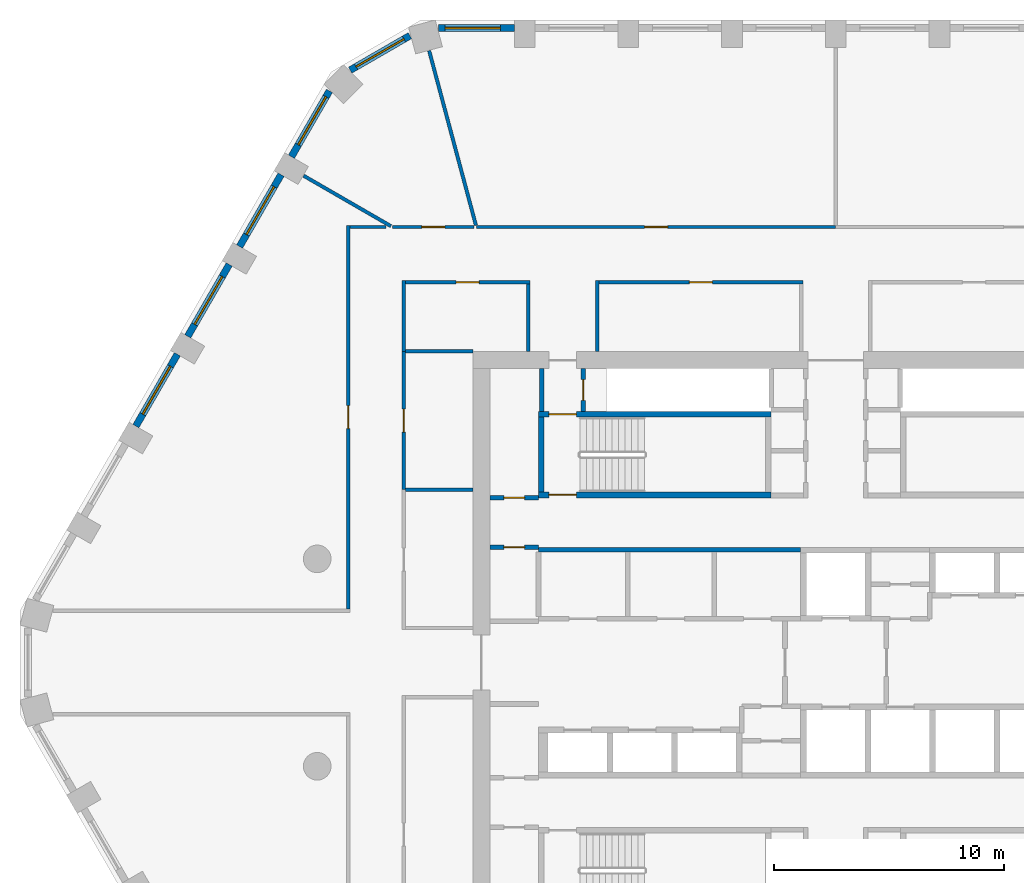
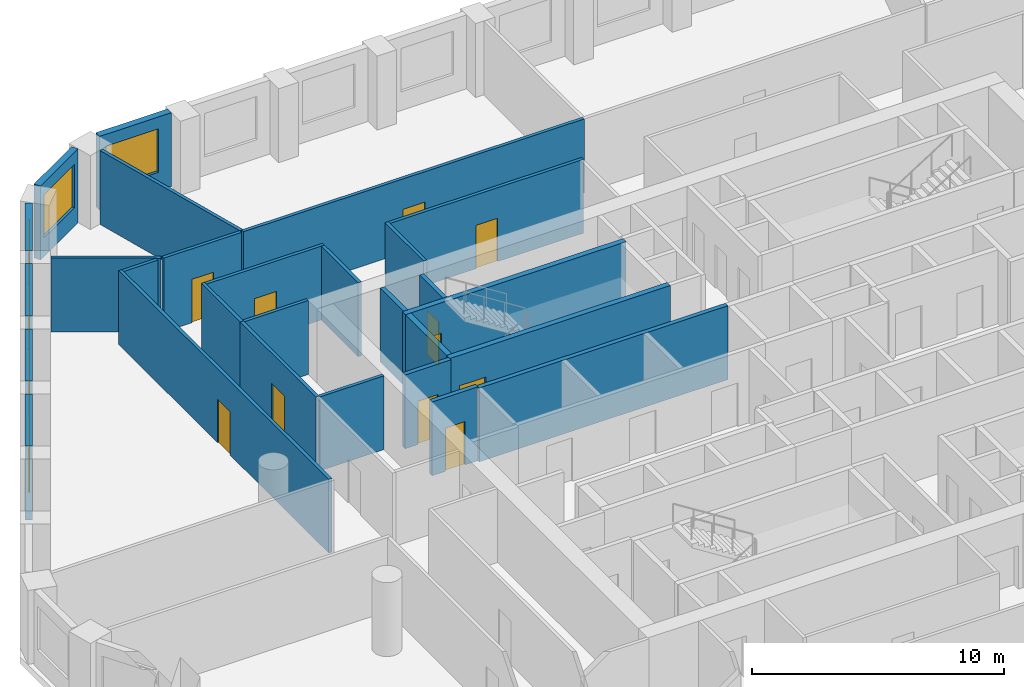
# One storey, part 6 of 10: 28 walls, 11 doors, 6 windows, 17 openings.
"""IFC4 building model written with IfcOpenShell, lengths in metres."""

from ifc_helpers import new_model, si_unit, direction, frame, frame_2d, origin, place, context, subcontext, project, spatial, rectangle, extrude, material, layer, layer_set, type_object, element, fill, save


model = new_model("IFC4")

# Units and contexts
model_context = context("Model", 3, precision=1e-05, world=origin(), true_north=direction((0.0, 1.0)))
body_context = subcontext(model_context, "Body", "Model", "MODEL_VIEW")
ifc_project = project(units=[si_unit("LENGTHUNIT", "METRE"), si_unit("AREAUNIT", "SQUARE_METRE"), si_unit("VOLUMEUNIT", "CUBIC_METRE"), si_unit("PLANEANGLEUNIT", "RADIAN"), si_unit("MASSUNIT", "GRAM", prefix="KILO")], contexts=[model_context])

# Site, building, storey
site_placement = place(None, origin())
site = spatial("IfcSite", under=ifc_project, at=site_placement, CompositionType="ELEMENT")
building_placement = place(site_placement, origin())
building = spatial("IfcBuilding", under=site, at=building_placement, Name="Dhurran Vertical Campus", CompositionType="ELEMENT")
storey_placement = place(building_placement, frame((0.0, 0.0, 144.300048828125)))
storey = spatial("IfcBuildingStorey", under=building, at=storey_placement, Name="L35", CompositionType="ELEMENT", Elevation=144.300048828125)

# Wall, opening, window
ifc_material_1 = material(Name="Precast concrete C50/60", Category="concrete")
ifc_layer_1 = layer(ifc_material_1, 0.300048828125)
ifc_layer_set_1 = layer_set([ifc_layer_1], Name="Precast concrete C50/60")
wall_type_1 = type_object("IfcWallType", Name="Precast spandrel wall 300", PredefinedType="SOLIDWALL", material=ifc_layer_set_1)
wall_1_placement = place(storey_placement, frame((-13.950439453125, 27.53271484375, 0.0), z_axis=(0.0, 0.0, 1.0), x_axis=(-1.0, 0.0, 0.0)))
wall_1 = element("IfcWall", 1, at=wall_1_placement, inside=storey, type_object=wall_type_1, Name="EW1 L35.30", PredefinedType="SOLIDWALL", context=body_context, shape_type="SweptSolid", body=[
    extrude(rectangle(XDim=3.294189453125, YDim=0.300048828125, at=frame_2d((1.64697265625, 0.0))), origin(), (0.0, 0.0, 1.0), 3.574951171875),
])
opening_1_placement = place(wall_1_placement, frame((0.599609375, 0.0, 0.89990234375)))
opening_1 = element("IfcOpeningElement", 2, at=opening_1_placement, cuts=wall_1, Name="Opening WT1", PredefinedType="OPENING", context=body_context, shape_type="SweptSolid", body=[
    extrude(rectangle(XDim=2.39990234375, YDim=2.10009765625, at=frame_2d((1.199951171875, 1.050048828125))), frame((0.0, 0.159912109375, 0.0), z_axis=(0.0, -1.0, 0.0), x_axis=(1.0, 0.0, 0.0)), (0.0, 0.0, 1.0), 0.320068359375),
])
ifc_material_2 = material(Name="Aluminium frame with solar-control glass", Category="aluminium")
window_type = type_object("IfcWindowType", Name="Punched window 2400 x 2100", PartitioningType="SINGLE_PANEL", PredefinedType="WINDOW", material=ifc_material_2)
window_1_placement = place(opening_1_placement, origin())
window_1 = element("IfcWindow", 3, at=window_1_placement, inside=storey, type_object=window_type, Name="WT1 L35.30", OverallHeight=2.10009765625, OverallWidth=2.39990234375, PartitioningType="SINGLE_PANEL", PredefinedType="WINDOW", context=body_context, shape_type="SweptSolid", body=[
    extrude(rectangle(XDim=2.39990234375, YDim=2.10009765625, at=frame_2d((1.199951171875, 1.050048828125))), frame((0.0, 0.030029296875, 0.0), z_axis=(0.0, -1.0, 0.0), x_axis=(1.0, 0.0, 0.0)), (0.0, 0.0, 1.0), 0.06005859375),
])
fill(opening_1, window_1)

wall_2_placement = place(storey_placement, frame((-18.479248046875, 27.201904296875, 0.0), z_axis=(0.0, 0.0, 1.0), x_axis=(-0.866012844897, -0.500021752, 0.0)))
wall_2 = element("IfcWall", 4, at=wall_2_placement, inside=storey, type_object=wall_type_1, Name="EW1 L35.31", PredefinedType="SOLIDWALL", context=body_context, shape_type="SweptSolid", body=[
    extrude(rectangle(XDim=2.989013671875, YDim=0.300048828125, at=frame_2d((1.49462890625, 0.0))), origin(), (0.0, 0.0, 1.0), 3.574951171875),
])
opening_2_placement = place(wall_2_placement, frame((0.294677734375, 0.0, 0.89990234375)))
opening_2 = element("IfcOpeningElement", 5, at=opening_2_placement, cuts=wall_2, Name="Opening WT1", PredefinedType="OPENING", context=body_context, shape_type="SweptSolid", body=[
    extrude(rectangle(XDim=2.39990234375, YDim=2.10009765625, at=frame_2d((1.199951171875, 1.050048828125))), frame((0.0, 0.159912109375, 0.0), z_axis=(0.0, -1.0, 0.0), x_axis=(1.0, 0.0, 0.0)), (0.0, 0.0, 1.0), 0.320068359375),
])
window_2_placement = place(opening_2_placement, origin())
window_2 = element("IfcWindow", 6, at=window_2_placement, inside=storey, type_object=window_type, Name="WT1 L35.31", OverallHeight=2.10009765625, OverallWidth=2.39990234375, PartitioningType="SINGLE_PANEL", PredefinedType="WINDOW", context=body_context, shape_type="SweptSolid", body=[
    extrude(rectangle(XDim=2.39990234375, YDim=2.10009765625, at=frame_2d((1.199951171875, 1.050048828125))), frame((0.0, 0.030029296875, 0.0), z_axis=(0.0, -1.0, 0.0), x_axis=(1.0, 0.0, 0.0)), (0.0, 0.0, 1.0), 0.06005859375),
])
fill(opening_2, window_2)

wall_3_placement = place(storey_placement, frame((-21.9716796875, 24.803466796875, 0.0), z_axis=(0.0, 0.0, 1.0), x_axis=(-0.500036802197, -0.866004154983, 0.0)))
wall_3 = element("IfcWall", 7, at=wall_3_placement, inside=storey, type_object=wall_type_1, Name="EW1 L35.32", PredefinedType="SOLIDWALL", context=body_context, shape_type="SweptSolid", body=[
    extrude(rectangle(XDim=3.294189453125, YDim=0.300048828125, at=frame_2d((1.64697265625, 0.0))), origin(), (0.0, 0.0, 1.0), 3.574951171875),
])
opening_3_placement = place(wall_3_placement, frame((0.29443359375, 0.0, 0.89990234375)))
opening_3 = element("IfcOpeningElement", 8, at=opening_3_placement, cuts=wall_3, Name="Opening WT1", PredefinedType="OPENING", context=body_context, shape_type="SweptSolid", body=[
    extrude(rectangle(XDim=2.39990234375, YDim=2.10009765625, at=frame_2d((1.199951171875, 1.050048828125))), frame((0.0, 0.159912109375, 0.0), z_axis=(0.0, -1.0, 0.0), x_axis=(1.0, 0.0, 0.0)), (0.0, 0.0, 1.0), 0.320068359375),
])
window_3_placement = place(opening_3_placement, origin())
window_3 = element("IfcWindow", 9, at=window_3_placement, inside=storey, type_object=window_type, Name="WT1 L35.32", OverallHeight=2.10009765625, OverallWidth=2.39990234375, PartitioningType="SINGLE_PANEL", PredefinedType="WINDOW", context=body_context, shape_type="SweptSolid", body=[
    extrude(rectangle(XDim=2.39990234375, YDim=2.10009765625, at=frame_2d((1.199951171875, 1.050048828125))), frame((0.0, 0.030029296875, 0.0), z_axis=(0.0, -1.0, 0.0), x_axis=(1.0, 0.0, 0.0)), (0.0, 0.0, 1.0), 0.06005859375),
])
fill(opening_3, window_3)

wall_4_placement = place(storey_placement, frame((-24.0693359375, 21.17041015625, 0.0), z_axis=(0.0, 0.0, 1.0), x_axis=(-0.500027802648, -0.866009351323, 0.0)))
wall_4 = element("IfcWall", 10, at=wall_4_placement, inside=storey, type_object=wall_type_1, Name="EW1 L35.33", PredefinedType="SOLIDWALL", context=body_context, shape_type="SweptSolid", body=[
    extrude(rectangle(XDim=3.598876953125, YDim=0.300048828125, at=frame_2d((1.79931640625, 0.0))), origin(), (0.0, 0.0, 1.0), 3.574951171875),
])
opening_4_placement = place(wall_4_placement, frame((0.599609375, 0.0, 0.89990234375)))
opening_4 = element("IfcOpeningElement", 11, at=opening_4_placement, cuts=wall_4, Name="Opening WT1", PredefinedType="OPENING", context=body_context, shape_type="SweptSolid", body=[
    extrude(rectangle(XDim=2.39990234375, YDim=2.10009765625, at=frame_2d((1.199951171875, 1.050048828125))), frame((0.0, 0.159912109375, 0.0), z_axis=(0.0, -1.0, 0.0), x_axis=(1.0, 0.0, 0.0)), (0.0, 0.0, 1.0), 0.320068359375),
])
window_4_placement = place(opening_4_placement, origin())
window_4 = element("IfcWindow", 12, at=window_4_placement, inside=storey, type_object=window_type, Name="WT1 L35.33", OverallHeight=2.10009765625, OverallWidth=2.39990234375, PartitioningType="SINGLE_PANEL", PredefinedType="WINDOW", context=body_context, shape_type="SweptSolid", body=[
    extrude(rectangle(XDim=2.39990234375, YDim=2.10009765625, at=frame_2d((1.199951171875, 1.050048828125))), frame((0.0, 0.030029296875, 0.0), z_axis=(0.0, -1.0, 0.0), x_axis=(1.0, 0.0, 0.0)), (0.0, 0.0, 1.0), 0.06005859375),
])
fill(opening_4, window_4)

wall_5_placement = place(storey_placement, frame((-26.3193359375, 17.273193359375, 0.0), z_axis=(0.0, 0.0, 1.0), x_axis=(-0.500027802648, -0.866009351323, 0.0)))
wall_5 = element("IfcWall", 13, at=wall_5_placement, inside=storey, type_object=wall_type_1, Name="EW1 L35.34", PredefinedType="SOLIDWALL", context=body_context, shape_type="SweptSolid", body=[
    extrude(rectangle(XDim=3.598876953125, YDim=0.300048828125, at=frame_2d((1.79931640625, 0.0))), origin(), (0.0, 0.0, 1.0), 3.574951171875),
])
opening_5_placement = place(wall_5_placement, frame((0.599609375, 0.0, 0.89990234375)))
opening_5 = element("IfcOpeningElement", 14, at=opening_5_placement, cuts=wall_5, Name="Opening WT1", PredefinedType="OPENING", context=body_context, shape_type="SweptSolid", body=[
    extrude(rectangle(XDim=2.39990234375, YDim=2.10009765625, at=frame_2d((1.199951171875, 1.050048828125))), frame((0.0, 0.159912109375, 0.0), z_axis=(0.0, -1.0, 0.0), x_axis=(1.0, 0.0, 0.0)), (0.0, 0.0, 1.0), 0.320068359375),
])
window_5_placement = place(opening_5_placement, origin())
window_5 = element("IfcWindow", 15, at=window_5_placement, inside=storey, type_object=window_type, Name="WT1 L35.34", OverallHeight=2.10009765625, OverallWidth=2.39990234375, PartitioningType="SINGLE_PANEL", PredefinedType="WINDOW", context=body_context, shape_type="SweptSolid", body=[
    extrude(rectangle(XDim=2.39990234375, YDim=2.10009765625, at=frame_2d((1.199951171875, 1.050048828125))), frame((0.0, 0.030029296875, 0.0), z_axis=(0.0, -1.0, 0.0), x_axis=(1.0, 0.0, 0.0)), (0.0, 0.0, 1.0), 0.06005859375),
])
fill(opening_5, window_5)

wall_6_placement = place(storey_placement, frame((-28.5693359375, 13.376220703125, 0.0), z_axis=(0.0, 0.0, 1.0), x_axis=(-0.500027802648, -0.866009351323, 0.0)))
wall_6 = element("IfcWall", 16, at=wall_6_placement, inside=storey, type_object=wall_type_1, Name="EW1 L35.35", PredefinedType="SOLIDWALL", context=body_context, shape_type="SweptSolid", body=[
    extrude(rectangle(XDim=3.598876953125, YDim=0.300048828125, at=frame_2d((1.79931640625, 0.0))), origin(), (0.0, 0.0, 1.0), 3.574951171875),
])
opening_6_placement = place(wall_6_placement, frame((0.599609375, 0.0, 0.89990234375)))
opening_6 = element("IfcOpeningElement", 17, at=opening_6_placement, cuts=wall_6, Name="Opening WT1", PredefinedType="OPENING", context=body_context, shape_type="SweptSolid", body=[
    extrude(rectangle(XDim=2.39990234375, YDim=2.10009765625, at=frame_2d((1.199951171875, 1.050048828125))), frame((0.0, 0.159912109375, 0.0), z_axis=(0.0, -1.0, 0.0), x_axis=(1.0, 0.0, 0.0)), (0.0, 0.0, 1.0), 0.320068359375),
])
window_6_placement = place(opening_6_placement, origin())
window_6 = element("IfcWindow", 18, at=window_6_placement, inside=storey, type_object=window_type, Name="WT1 L35.35", OverallHeight=2.10009765625, OverallWidth=2.39990234375, PartitioningType="SINGLE_PANEL", PredefinedType="WINDOW", context=body_context, shape_type="SweptSolid", body=[
    extrude(rectangle(XDim=2.39990234375, YDim=2.10009765625, at=frame_2d((1.199951171875, 1.050048828125))), frame((0.0, 0.030029296875, 0.0), z_axis=(0.0, -1.0, 0.0), x_axis=(1.0, 0.0, 0.0)), (0.0, 0.0, 1.0), 0.06005859375),
])
fill(opening_6, window_6)

# Wall
ifc_material_3 = material(Name="Fire-rated masonry blockwork", Category="masonry")
ifc_layer_2 = layer(ifc_material_3, 0.199951171875)
ifc_layer_set_2 = layer_set([ifc_layer_2], Name="Fire-rated masonry blockwork")
wall_type_2 = type_object("IfcWallType", Name="co-FIRE-PARTITION-200", PredefinedType="PARTITIONING", material=ifc_layer_set_2)
wall_7_placement = place(storey_placement, frame((-12.75, 10.89990234375, 0.0), z_axis=(0.0, 0.0, 1.0), x_axis=(0.0, 1.0, 0.0)))
element("IfcWall", 19, at=wall_7_placement, inside=storey, type_object=wall_type_2, Name="Core partition pass-ST1-o L35", PredefinedType="PARTITIONING", context=body_context, shape_type="SweptSolid", body=[
    extrude(rectangle(XDim=1.85009765625, YDim=0.199951171875, at=frame_2d((0.925048828125, 0.0))), origin(), (0.0, 0.0, 1.0), 3.574951171875),
])

# Wall, opening, door
wall_8_placement = place(storey_placement, frame((-10.949951171875, 10.89990234375, 0.0), z_axis=(0.0, 0.0, 1.0), x_axis=(0.0, 1.0, 0.0)))
wall_8 = element("IfcWall", 20, at=wall_8_placement, inside=storey, type_object=wall_type_2, Name="Core partition pass-ST1-i L35", PredefinedType="PARTITIONING", context=body_context, shape_type="SweptSolid", body=[
    extrude(rectangle(XDim=1.85009765625, YDim=0.199951171875, at=frame_2d((0.925048828125, 0.0))), origin(), (0.0, 0.0, 1.0), 3.574951171875),
])
opening_7_placement = place(wall_8_placement, frame((0.47509765625, 0.0, 0.0)))
opening_7 = element("IfcOpeningElement", 21, at=opening_7_placement, cuts=wall_8, Name="Opening T10-C11", PredefinedType="OPENING", context=body_context, shape_type="SweptSolid", body=[
    extrude(rectangle(XDim=0.89990234375, YDim=2.10009765625, at=frame_2d((0.449951171875, 1.050048828125))), frame((0.0, 0.10986328125, 0.0), z_axis=(0.0, -1.0, 0.0), x_axis=(1.0, 0.0, 0.0)), (0.0, 0.0, 1.0), 0.219970703125),
])
ifc_material_4 = material(Name="Fire-rated timber door set", Category="wood")
door_type_1 = type_object("IfcDoorType", Name="co-D-ROOM 900x2100", OperationType="SINGLE_SWING_LEFT", PredefinedType="DOOR", material=ifc_material_4)
door_1_placement = place(opening_7_placement, origin())
door_1 = element("IfcDoor", 22, at=door_1_placement, inside=storey, type_object=door_type_1, Name="Riser room door L35", OperationType="SINGLE_SWING_LEFT", OverallHeight=2.10009765625, OverallWidth=0.89990234375, PredefinedType="DOOR", context=body_context, shape_type="SweptSolid", body=[
    extrude(rectangle(XDim=0.89990234375, YDim=2.10009765625, at=frame_2d((0.449951171875, 1.050048828125))), frame((0.0, 0.02490234375, 0.0), z_axis=(0.0, -1.0, 0.0), x_axis=(1.0, 0.0, 0.0)), (0.0, 0.0, 1.0), 0.050048828125),
])
fill(opening_7, door_1)

wall_9_placement = place(storey_placement, frame((-15.0, 7.14990234375, 0.0), z_axis=(0.0, 0.0, 1.0), x_axis=(1.0, 0.0, 0.0)))
wall_9 = element("IfcWall", 23, at=wall_9_placement, inside=storey, type_object=wall_type_2, Name="Core partition en-NW-w L35", PredefinedType="PARTITIONING", context=body_context, shape_type="SweptSolid", body=[
    extrude(rectangle(XDim=2.10009765625, YDim=0.199951171875, at=frame_2d((1.050048828125, 0.0))), origin(), (0.0, 0.0, 1.0), 3.574951171875),
])
opening_8_placement = place(wall_9_placement, frame((0.60009765625, 0.0, 0.0)))
opening_8 = element("IfcOpeningElement", 24, at=opening_8_placement, cuts=wall_9, Name="Opening T10-C15", PredefinedType="OPENING", context=body_context, shape_type="SweptSolid", body=[
    extrude(rectangle(XDim=0.89990234375, YDim=2.10009765625, at=frame_2d((0.449951171875, 1.050048828125))), frame((0.0, 0.10986328125, 0.0), z_axis=(0.0, -1.0, 0.0), x_axis=(1.0, 0.0, 0.0)), (0.0, 0.0, 1.0), 0.219970703125),
])
door_2_placement = place(opening_8_placement, origin())
door_2 = element("IfcDoor", 25, at=door_2_placement, inside=storey, type_object=door_type_1, Name="Cleaner's store door L35", OperationType="SINGLE_SWING_LEFT", OverallHeight=2.10009765625, OverallWidth=0.89990234375, PredefinedType="DOOR", context=body_context, shape_type="SweptSolid", body=[
    extrude(rectangle(XDim=0.89990234375, YDim=2.10009765625, at=frame_2d((0.449951171875, 1.050048828125))), frame((0.0, 0.02490234375, 0.0), z_axis=(0.0, -1.0, 0.0), x_axis=(1.0, 0.0, 0.0)), (0.0, 0.0, 1.0), 0.050048828125),
])
fill(opening_8, door_2)

wall_10_placement = place(storey_placement, frame((-15.0, 5.0, 0.0), z_axis=(0.0, 0.0, 1.0), x_axis=(1.0, 0.0, 0.0)))
wall_10 = element("IfcWall", 26, at=wall_10_placement, inside=storey, type_object=wall_type_2, Name="Core partition es-NW-w L35", PredefinedType="PARTITIONING", context=body_context, shape_type="SweptSolid", body=[
    extrude(rectangle(XDim=2.10009765625, YDim=0.199951171875, at=frame_2d((1.050048828125, 0.0))), origin(), (0.0, 0.0, 1.0), 3.574951171875),
])
opening_9_placement = place(wall_10_placement, frame((0.60009765625, 0.0, 0.0)))
opening_9 = element("IfcOpeningElement", 27, at=opening_9_placement, cuts=wall_10, Name="Opening T10-C16", PredefinedType="OPENING", context=body_context, shape_type="SweptSolid", body=[
    extrude(rectangle(XDim=0.89990234375, YDim=2.10009765625, at=frame_2d((0.449951171875, 1.050048828125))), frame((0.0, 0.10986328125, 0.0), z_axis=(0.0, -1.0, 0.0), x_axis=(1.0, 0.0, 0.0)), (0.0, 0.0, 1.0), 0.219970703125),
])
door_3_placement = place(opening_9_placement, origin())
door_3 = element("IfcDoor", 28, at=door_3_placement, inside=storey, type_object=door_type_1, Name="Communications room door L35", OperationType="SINGLE_SWING_LEFT", OverallHeight=2.10009765625, OverallWidth=0.89990234375, PredefinedType="DOOR", context=body_context, shape_type="SweptSolid", body=[
    extrude(rectangle(XDim=0.89990234375, YDim=2.10009765625, at=frame_2d((0.449951171875, 1.050048828125))), frame((0.0, 0.02490234375, 0.0), z_axis=(0.0, -1.0, 0.0), x_axis=(1.0, 0.0, 0.0)), (0.0, 0.0, 1.0), 0.050048828125),
])
fill(opening_9, door_3)

# Wall
wall_11_placement = place(storey_placement, frame((-12.89990234375, 4.89990234375, 0.0), z_axis=(0.0, 0.0, 1.0), x_axis=(1.0, 0.0, 0.0)))
element("IfcWall", 29, at=wall_11_placement, inside=storey, type_object=wall_type_2, Name="Core partition fr-N0-b L35", PredefinedType="PARTITIONING", context=body_context, shape_type="SweptSolid", body=[
    extrude(rectangle(XDim=11.375, YDim=0.199951171875, at=frame_2d((5.6875, 0.0))), origin(), (0.0, 0.0, 1.0), 3.574951171875),
])

# Wall, opening, door
ifc_material_5 = material(Name="Concrete C40/50", Category="concrete")
ifc_layer_3 = layer(ifc_material_5, 0.25)
ifc_layer_set_3 = layer_set([ifc_layer_3], Name="Concrete C40/50")
wall_type_3 = type_object("IfcWallType", Name="co-STAIR-WALL-250", PredefinedType="SHEAR", material=ifc_layer_set_3)
wall_12_placement = place(storey_placement, frame((-12.89990234375, 7.27490234375, 0.0), z_axis=(0.0, 0.0, 1.0), x_axis=(1.0, 0.0, 0.0)))
wall_12 = element("IfcWall", 30, at=wall_12_placement, inside=storey, type_object=wall_type_3, Name="Stair ST1 enclosure wall L35", PredefinedType="SHEAR", context=body_context, shape_type="SweptSolid", body=[
    extrude(rectangle(XDim=10.099853515625, YDim=0.25, at=frame_2d((5.0498046875, 0.0))), origin(), (0.0, 0.0, 1.0), 3.574951171875),
])
opening_10_placement = place(wall_12_placement, frame((0.449951171875, 0.0, 0.0)))
opening_10 = element("IfcOpeningElement", 31, at=opening_10_placement, cuts=wall_12, Name="Opening SD1", PredefinedType="OPENING", context=body_context, shape_type="SweptSolid", body=[
    extrude(rectangle(XDim=1.199951171875, YDim=2.10009765625, at=frame_2d((0.60009765625, 1.050048828125))), frame((0.0, 0.135009765625, 0.0), z_axis=(0.0, -1.0, 0.0), x_axis=(1.0, 0.0, 0.0)), (0.0, 0.0, 1.0), 0.27001953125),
])
ifc_material_6 = material(Name="Fire-rated steel door set", Category="steel")
door_type_2 = type_object("IfcDoorType", Name="co-D-STAIR 1200x2100", OperationType="SINGLE_SWING_LEFT", PredefinedType="DOOR", material=ifc_material_6)
door_4_placement = place(opening_10_placement, origin())
door_4 = element("IfcDoor", 32, at=door_4_placement, inside=storey, type_object=door_type_2, Name="Stair ST1 door L35", OperationType="SINGLE_SWING_LEFT", OverallHeight=2.10009765625, OverallWidth=1.199951171875, PredefinedType="DOOR", context=body_context, shape_type="SweptSolid", body=[
    extrude(rectangle(XDim=1.199951171875, YDim=2.10009765625, at=frame_2d((0.60009765625, 1.050048828125))), frame((0.0, 0.02490234375, 0.0), z_axis=(0.0, -1.0, 0.0), x_axis=(1.0, 0.0, 0.0)), (0.0, 0.0, 1.0), 0.050048828125),
])
fill(opening_10, door_4)

wall_13_placement = place(storey_placement, frame((-12.89990234375, 10.77490234375, 0.0), z_axis=(0.0, 0.0, 1.0), x_axis=(1.0, 0.0, 0.0)))
wall_13 = element("IfcWall", 33, at=wall_13_placement, inside=storey, type_object=wall_type_3, Name="Stair ST1 enclosure wall L35", PredefinedType="SHEAR", context=body_context, shape_type="SweptSolid", body=[
    extrude(rectangle(XDim=10.099853515625, YDim=0.25, at=frame_2d((5.0498046875, 0.0))), origin(), (0.0, 0.0, 1.0), 3.574951171875),
])
opening_11_placement = place(wall_13_placement, frame((0.449951171875, 0.0, 0.0)))
opening_11 = element("IfcOpeningElement", 34, at=opening_11_placement, cuts=wall_13, Name="Opening XS1", PredefinedType="OPENING", context=body_context, shape_type="SweptSolid", body=[
    extrude(rectangle(XDim=1.199951171875, YDim=2.10009765625, at=frame_2d((0.60009765625, 1.050048828125))), frame((0.0, 0.135009765625, 0.0), z_axis=(0.0, -1.0, 0.0), x_axis=(1.0, 0.0, 0.0)), (0.0, 0.0, 1.0), 0.27001953125),
])
ifc_material_7 = material(Name="Fire-rated steel door set", Category="steel")
door_type_3 = type_object("IfcDoorType", Name="co-D-STAIR-EXIT 1200x2100", OperationType="SINGLE_SWING_RIGHT", PredefinedType="DOOR", material=ifc_material_7)
door_5_placement = place(opening_11_placement, origin())
door_5 = element("IfcDoor", 35, at=door_5_placement, inside=storey, type_object=door_type_3, Name="Stair ST1 discharge door L35", OperationType="SINGLE_SWING_RIGHT", OverallHeight=2.10009765625, OverallWidth=1.199951171875, PredefinedType="DOOR", context=body_context, shape_type="SweptSolid", body=[
    extrude(rectangle(XDim=1.199951171875, YDim=2.10009765625, at=frame_2d((0.60009765625, 1.050048828125))), frame((0.0, 0.02490234375, 0.0), z_axis=(0.0, -1.0, 0.0), x_axis=(1.0, 0.0, 0.0)), (0.0, 0.0, 1.0), 0.050048828125),
])
fill(opening_11, door_5)

# Wall
wall_14_placement = place(storey_placement, frame((-12.77490234375, 7.39990234375, 0.0), z_axis=(0.0, 0.0, 1.0), x_axis=(0.0, 1.0, 0.0)))
element("IfcWall", 36, at=wall_14_placement, inside=storey, type_object=wall_type_3, Name="Stair ST1 enclosure wall L35", PredefinedType="SHEAR", context=body_context, shape_type="SweptSolid", body=[
    extrude(rectangle(XDim=3.25, YDim=0.25, at=frame_2d((1.625, 0.0))), origin(), (0.0, 0.0, 1.0), 3.574951171875),
])

# Wall, opening, door
ifc_material_8 = material(Name="Gypsum board corridor wall on steel studs", Category="steel")
ifc_layer_4 = layer(ifc_material_8, 0.14990234375)
ifc_layer_set_4 = layer_set([ifc_layer_4], Name="Gypsum board corridor wall on steel studs")
wall_type_4 = type_object("IfcWallType", Name="fl-CW-150 corridor wall", PredefinedType="PARTITIONING", material=ifc_layer_set_4)
wall_15_placement = place(storey_placement, frame((-21.14990234375, 18.97509765625, 0.0), z_axis=(0.0, 0.0, 1.0), x_axis=(0.0, -1.0, 0.0)))
wall_15 = element("IfcWall", 37, at=wall_15_placement, inside=storey, type_object=wall_type_4, Name="Partition 35-07", PredefinedType="PARTITIONING", context=body_context, shape_type="SweptSolid", body=[
    extrude(rectangle(XDim=16.650146484375, YDim=0.14990234375, at=frame_2d((8.3251953125, 0.0))), origin(), (0.0, 0.0, 1.0), 3.574951171875),
])
opening_12_placement = place(wall_15_placement, frame((7.824951171875, 0.0, 0.0)))
opening_12 = element("IfcOpeningElement", 38, at=opening_12_placement, cuts=wall_15, Name="Opening T10.02", PredefinedType="OPENING", context=body_context, shape_type="SweptSolid", body=[
    extrude(rectangle(XDim=1.0, YDim=2.10009765625, at=frame_2d((0.5, 1.050048828125))), frame((0.0, 0.0849609375, 0.0), z_axis=(0.0, -1.0, 0.0), x_axis=(1.0, 0.0, 0.0)), (0.0, 0.0, 1.0), 0.169921875),
])
ifc_material_9 = material(Name="Solid-core timber door set, fire-rated", Category="wood")
door_type_4 = type_object("IfcDoorType", Name="fl-D-1000x2100", OperationType="SINGLE_SWING_LEFT", PredefinedType="DOOR", material=ifc_material_9)
door_6_placement = place(opening_12_placement, origin())
door_6 = element("IfcDoor", 39, at=door_6_placement, inside=storey, type_object=door_type_4, Name="Door 35.02", OperationType="SINGLE_SWING_LEFT", OverallHeight=2.10009765625, OverallWidth=1.0, PredefinedType="DOOR", context=body_context, shape_type="SweptSolid", body=[
    extrude(rectangle(XDim=1.0, YDim=2.10009765625, at=frame_2d((0.5, 1.050048828125))), frame((0.0, 0.02490234375, 0.0), z_axis=(0.0, -1.0, 0.0), x_axis=(1.0, 0.0, 0.0)), (0.0, 0.0, 1.0), 0.050048828125),
])
fill(opening_12, door_6)

# Wall
wall_16_placement = place(storey_placement, frame((-19.510986328125, 18.89990234375, 0.0), z_axis=(0.0, 0.0, 1.0), x_axis=(-1.0, 0.0, 0.0)))
element("IfcWall", 40, at=wall_16_placement, inside=storey, type_object=wall_type_4, Name="Partition 35-08", PredefinedType="PARTITIONING", context=body_context, shape_type="SweptSolid", body=[
    extrude(rectangle(XDim=1.56396484375, YDim=0.14990234375, at=frame_2d((0.781982421875, 0.0))), origin(), (0.0, 0.0, 1.0), 3.574951171875),
])

# Wall, opening, door
wall_17_placement = place(storey_placement, frame((-15.68798828125, 18.89990234375, 0.0), z_axis=(0.0, 0.0, 1.0), x_axis=(-1.0, 0.0, 0.0)))
wall_17 = element("IfcWall", 41, at=wall_17_placement, inside=storey, type_object=wall_type_4, Name="Partition 35-10", PredefinedType="PARTITIONING", context=body_context, shape_type="SweptSolid", body=[
    extrude(rectangle(XDim=3.548095703125, YDim=0.14990234375, at=frame_2d((1.77392578125, 0.0))), origin(), (0.0, 0.0, 1.0), 3.574951171875),
])
opening_13_placement = place(wall_17_placement, frame((1.27392578125, 0.0, 0.0)))
opening_13 = element("IfcOpeningElement", 42, at=opening_13_placement, cuts=wall_17, Name="Opening T10.03", PredefinedType="OPENING", context=body_context, shape_type="SweptSolid", body=[
    extrude(rectangle(XDim=1.0, YDim=2.10009765625, at=frame_2d((0.5, 1.050048828125))), frame((0.0, 0.0849609375, 0.0), z_axis=(0.0, -1.0, 0.0), x_axis=(1.0, 0.0, 0.0)), (0.0, 0.0, 1.0), 0.169921875),
])
door_7_placement = place(opening_13_placement, origin())
door_7 = element("IfcDoor", 43, at=door_7_placement, inside=storey, type_object=door_type_4, Name="Door 35.03", OperationType="SINGLE_SWING_RIGHT", OverallHeight=2.10009765625, OverallWidth=1.0, PredefinedType="DOOR", context=body_context, shape_type="SweptSolid", body=[
    extrude(rectangle(XDim=1.0, YDim=2.10009765625, at=frame_2d((0.5, 1.050048828125))), frame((0.0, 0.02490234375, 0.0), z_axis=(0.0, -1.0, 0.0), x_axis=(1.0, 0.0, 0.0)), (0.0, 0.0, 1.0), 0.050048828125),
])
fill(opening_13, door_7)

wall_18_placement = place(storey_placement, frame((-18.75, 7.5, 0.0), z_axis=(0.0, 0.0, 1.0), x_axis=(0.0, 1.0, 0.0)))
wall_18 = element("IfcWall", 44, at=wall_18_placement, inside=storey, type_object=wall_type_4, Name="Partition 35-18", PredefinedType="PARTITIONING", context=body_context, shape_type="SweptSolid", body=[
    extrude(rectangle(XDim=6.0, YDim=0.14990234375, at=frame_2d((3.0, 0.0))), origin(), (0.0, 0.0, 1.0), 3.574951171875),
])
opening_14_placement = place(wall_18_placement, frame((2.5, 0.0, 0.0)))
opening_14 = element("IfcOpeningElement", 45, at=opening_14_placement, cuts=wall_18, Name="Opening T10.07", PredefinedType="OPENING", context=body_context, shape_type="SweptSolid", body=[
    extrude(rectangle(XDim=1.0, YDim=2.10009765625, at=frame_2d((0.5, 1.050048828125))), frame((0.0, 0.0849609375, 0.0), z_axis=(0.0, -1.0, 0.0), x_axis=(1.0, 0.0, 0.0)), (0.0, 0.0, 1.0), 0.169921875),
])
door_8_placement = place(opening_14_placement, origin())
door_8 = element("IfcDoor", 46, at=door_8_placement, inside=storey, type_object=door_type_4, Name="Door 35.07", OperationType="SINGLE_SWING_LEFT", OverallHeight=2.10009765625, OverallWidth=1.0, PredefinedType="DOOR", context=body_context, shape_type="SweptSolid", body=[
    extrude(rectangle(XDim=1.0, YDim=2.10009765625, at=frame_2d((0.5, 1.050048828125))), frame((0.0, 0.02490234375, 0.0), z_axis=(0.0, -1.0, 0.0), x_axis=(1.0, 0.0, 0.0)), (0.0, 0.0, 1.0), 0.050048828125),
])
fill(opening_14, door_8)

# Wall
wall_19_placement = place(storey_placement, frame((-18.75, 13.5, 0.0), z_axis=(0.0, 0.0, 1.0), x_axis=(0.0, 1.0, 0.0)))
element("IfcWall", 47, at=wall_19_placement, inside=storey, type_object=wall_type_4, Name="Partition 35-20", PredefinedType="PARTITIONING", context=body_context, shape_type="SweptSolid", body=[
    extrude(rectangle(XDim=3.074951171875, YDim=0.14990234375, at=frame_2d((1.53759765625, 0.0))), origin(), (0.0, 0.0, 1.0), 3.574951171875),
])

# Wall, opening, door
wall_20_placement = place(storey_placement, frame((-18.675048828125, 16.5, 0.0), z_axis=(0.0, 0.0, 1.0), x_axis=(1.0, 0.0, 0.0)))
wall_20 = element("IfcWall", 48, at=wall_20_placement, inside=storey, type_object=wall_type_4, Name="Partition 35-22", PredefinedType="PARTITIONING", context=body_context, shape_type="SweptSolid", body=[
    extrude(rectangle(XDim=5.400146484375, YDim=0.14990234375, at=frame_2d((2.7001953125, 0.0))), origin(), (0.0, 0.0, 1.0), 3.574951171875),
])
opening_15_placement = place(wall_20_placement, frame((2.199951171875, 0.0, 0.0)))
opening_15 = element("IfcOpeningElement", 49, at=opening_15_placement, cuts=wall_20, Name="Opening T10.09", PredefinedType="OPENING", context=body_context, shape_type="SweptSolid", body=[
    extrude(rectangle(XDim=1.0, YDim=2.10009765625, at=frame_2d((0.5, 1.050048828125))), frame((0.0, 0.0849609375, 0.0), z_axis=(0.0, -1.0, 0.0), x_axis=(1.0, 0.0, 0.0)), (0.0, 0.0, 1.0), 0.169921875),
])
door_9_placement = place(opening_15_placement, origin())
door_9 = element("IfcDoor", 50, at=door_9_placement, inside=storey, type_object=door_type_4, Name="Door 35.09", OperationType="SINGLE_SWING_RIGHT", OverallHeight=2.10009765625, OverallWidth=1.0, PredefinedType="DOOR", context=body_context, shape_type="SweptSolid", body=[
    extrude(rectangle(XDim=1.0, YDim=2.10009765625, at=frame_2d((0.5, 1.050048828125))), frame((0.0, 0.02490234375, 0.0), z_axis=(0.0, -1.0, 0.0), x_axis=(1.0, 0.0, 0.0)), (0.0, 0.0, 1.0), 0.050048828125),
])
fill(opening_15, door_9)

wall_21_placement = place(storey_placement, frame((0.0, 18.89990234375, 0.0), z_axis=(0.0, 0.0, 1.0), x_axis=(-1.0, 0.0, 0.0)))
wall_21 = element("IfcWall", 51, at=wall_21_placement, inside=storey, type_object=wall_type_4, Name="Partition 35-24", PredefinedType="PARTITIONING", context=body_context, shape_type="SweptSolid", body=[
    extrude(rectangle(XDim=15.593017578125, YDim=0.14990234375, at=frame_2d((7.79638671875, 0.0))), origin(), (0.0, 0.0, 1.0), 3.574951171875),
])
opening_16_placement = place(wall_21_placement, frame((7.29638671875, 0.0, 0.0)))
opening_16 = element("IfcOpeningElement", 52, at=opening_16_placement, cuts=wall_21, Name="Opening T10.10", PredefinedType="OPENING", context=body_context, shape_type="SweptSolid", body=[
    extrude(rectangle(XDim=1.0, YDim=2.10009765625, at=frame_2d((0.5, 1.050048828125))), frame((0.0, 0.0849609375, 0.0), z_axis=(0.0, -1.0, 0.0), x_axis=(1.0, 0.0, 0.0)), (0.0, 0.0, 1.0), 0.169921875),
])
door_10_placement = place(opening_16_placement, origin())
door_10 = element("IfcDoor", 53, at=door_10_placement, inside=storey, type_object=door_type_4, Name="Door 35.10", OperationType="SINGLE_SWING_LEFT", OverallHeight=2.10009765625, OverallWidth=1.0, PredefinedType="DOOR", context=body_context, shape_type="SweptSolid", body=[
    extrude(rectangle(XDim=1.0, YDim=2.10009765625, at=frame_2d((0.5, 1.050048828125))), frame((0.0, 0.02490234375, 0.0), z_axis=(0.0, -1.0, 0.0), x_axis=(1.0, 0.0, 0.0)), (0.0, 0.0, 1.0), 0.050048828125),
])
fill(opening_16, door_10)

# Walls
wall_22_placement = place(storey_placement, frame((-13.35009765625, 16.425048828125, 0.0), z_axis=(0.0, 0.0, 1.0), x_axis=(0.0, -1.0, 0.0)))
element("IfcWall", 54, at=wall_22_placement, inside=storey, type_object=wall_type_4, Name="Partition 35-28", PredefinedType="PARTITIONING", context=body_context, shape_type="SweptSolid", body=[
    extrude(rectangle(XDim=2.925048828125, YDim=0.14990234375, at=frame_2d((1.46240234375, 0.0))), origin(), (0.0, 0.0, 1.0), 3.574951171875),
])
wall_23_placement = place(storey_placement, frame((-10.35009765625, 13.5, 0.0), z_axis=(0.0, 0.0, 1.0), x_axis=(0.0, 1.0, 0.0)))
element("IfcWall", 55, at=wall_23_placement, inside=storey, type_object=wall_type_4, Name="Partition 35-31", PredefinedType="PARTITIONING", context=body_context, shape_type="SweptSolid", body=[
    extrude(rectangle(XDim=3.074951171875, YDim=0.14990234375, at=frame_2d((1.53759765625, 0.0))), origin(), (0.0, 0.0, 1.0), 3.574951171875),
])

# Wall, opening, door
wall_24_placement = place(storey_placement, frame((-10.27490234375, 16.5, 0.0), z_axis=(0.0, 0.0, 1.0), x_axis=(1.0, 0.0, 0.0)))
wall_24 = element("IfcWall", 56, at=wall_24_placement, inside=storey, type_object=wall_type_4, Name="Partition 35-32", PredefinedType="PARTITIONING", context=body_context, shape_type="SweptSolid", body=[
    extrude(rectangle(XDim=8.849853515625, YDim=0.14990234375, at=frame_2d((4.4248046875, 0.0))), origin(), (0.0, 0.0, 1.0), 3.574951171875),
])
opening_17_placement = place(wall_24_placement, frame((3.925048828125, 0.0, 0.0)))
opening_17 = element("IfcOpeningElement", 57, at=opening_17_placement, cuts=wall_24, Name="Opening T10.12", PredefinedType="OPENING", context=body_context, shape_type="SweptSolid", body=[
    extrude(rectangle(XDim=1.0, YDim=2.10009765625, at=frame_2d((0.5, 1.050048828125))), frame((0.0, 0.0849609375, 0.0), z_axis=(0.0, -1.0, 0.0), x_axis=(1.0, 0.0, 0.0)), (0.0, 0.0, 1.0), 0.169921875),
])
door_11_placement = place(opening_17_placement, origin())
door_11 = element("IfcDoor", 58, at=door_11_placement, inside=storey, type_object=door_type_4, Name="Door 35.12", OperationType="SINGLE_SWING_LEFT", OverallHeight=2.10009765625, OverallWidth=1.0, PredefinedType="DOOR", context=body_context, shape_type="SweptSolid", body=[
    extrude(rectangle(XDim=1.0, YDim=2.10009765625, at=frame_2d((0.5, 1.050048828125))), frame((0.0, 0.02490234375, 0.0), z_axis=(0.0, -1.0, 0.0), x_axis=(1.0, 0.0, 0.0)), (0.0, 0.0, 1.0), 0.050048828125),
])
fill(opening_17, door_11)

# Walls
ifc_material_10 = material(Name="Gypsum board partition on steel studs", Category="steel")
ifc_layer_5 = layer(ifc_material_10, 0.14990234375)
ifc_layer_set_5 = layer_set([ifc_layer_5], Name="Gypsum board partition on steel studs")
wall_type_5 = type_object("IfcWallType", Name="fl-PW-150 fixed partition", PredefinedType="PARTITIONING", material=ifc_layer_set_5)
wall_25_placement = place(storey_placement, frame((-23.09033203125, 21.1259765625, 0.0), z_axis=(0.0, 0.0, 1.0), x_axis=(0.865968165673, -0.500099126214, 0.0)))
element("IfcWall", 59, at=wall_25_placement, inside=storey, type_object=wall_type_5, Name="Partition 35-04", PredefinedType="PARTITIONING", context=body_context, shape_type="SweptSolid", body=[
    extrude(rectangle(XDim=4.3759765625, YDim=0.14990234375, at=frame_2d((2.18798828125, 0.0))), origin(), (0.0, 0.0, 1.0), 3.574951171875),
])
for number, where, z_axis, x_axis, name in (
    (60, (-18.675048828125, 7.5, 0.0), (0.0, 0.0, 1.0), (1.0, 0.0, 0.0), "Partition 35-19"),
    (61, (-18.675048828125, 13.5, 0.0), (0.0, 0.0, 1.0), (1.0, 0.0, 0.0), "Partition 35-21"),
):
    element("IfcWall", number, at=place(storey_placement, frame(where, z_axis=z_axis, x_axis=x_axis)), inside=storey, type_object=wall_type_5, Name=name, PredefinedType="PARTITIONING", context=body_context, shape_type="SweptSolid", body=[
        extrude(rectangle(XDim=2.925048828125, YDim=0.14990234375, at=frame_2d((1.46240234375, 0.0))), origin(), (0.0, 0.0, 1.0), 3.574951171875),
    ])
wall_26_placement = place(storey_placement, frame((-17.642822265625, 26.548828125, 0.0), z_axis=(0.0, 0.0, 1.0), x_axis=(0.258869363255, -0.965912342176, 0.0)))
element("IfcWall", 62, at=wall_26_placement, inside=storey, type_object=wall_type_5, Name="Partition 35-23", PredefinedType="PARTITIONING", context=body_context, shape_type="SweptSolid", body=[
    extrude(rectangle(XDim=7.84375, YDim=0.14990234375, at=frame_2d((3.921875, 0.0))), origin(), (0.0, 0.0, 1.0), 3.574951171875),
])

save(model, "model.ifc")
